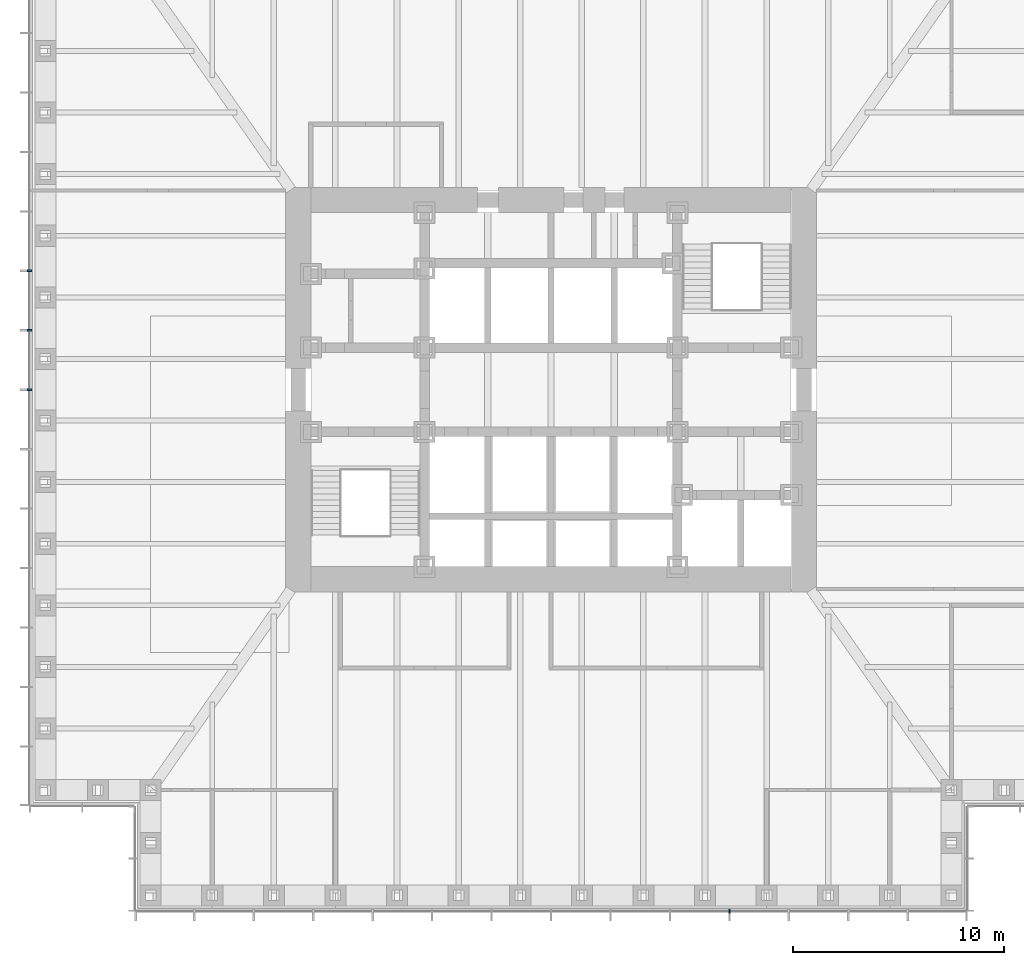
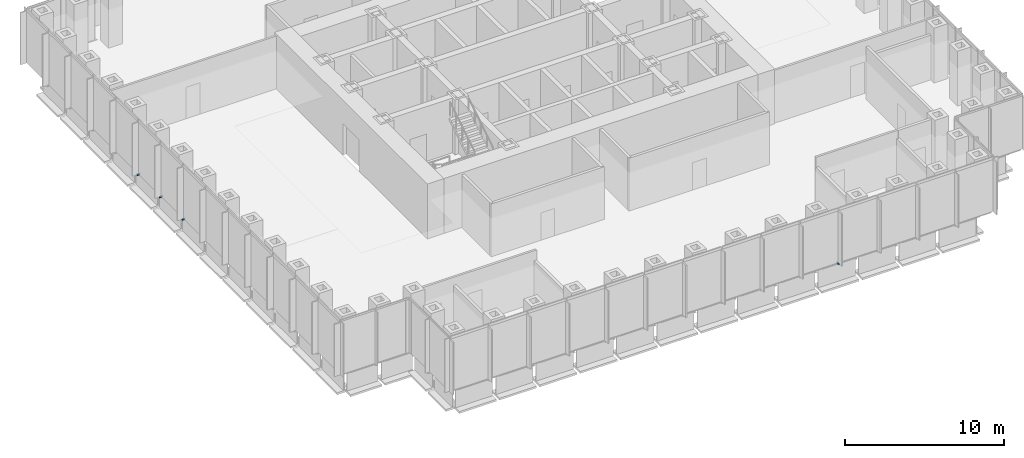
# One storey, part 12 of 16: 4 discrete accessories.
"""IFC4 building model written with IfcOpenShell, lengths in metres."""

from ifc_helpers import new_model, si_unit, direction, frame, origin, origin_2d, place, context, subcontext, project, spatial, rectangle, extrude, element, save


model = new_model("IFC4")

# Units and contexts
model_context = context("Model", 3, precision=1e-05, world=origin(), true_north=direction((0.0, 1.0)))
body_context = subcontext(model_context, "Body", "Model", "MODEL_VIEW")
ifc_project = project(units=[si_unit("LENGTHUNIT", "METRE"), si_unit("AREAUNIT", "SQUARE_METRE"), si_unit("VOLUMEUNIT", "CUBIC_METRE"), si_unit("PLANEANGLEUNIT", "RADIAN"), si_unit("MASSUNIT", "GRAM", prefix="KILO")], contexts=[model_context])

# Site, building, storey
site_placement = place(None, origin())
site = spatial("IfcSite", under=ifc_project, at=site_placement, CompositionType="ELEMENT")
building_placement = place(site_placement, origin())
building = spatial("IfcBuilding", under=site, at=building_placement, Name="Daluyong Arena Tower", CompositionType="ELEMENT")
storey_placement = place(building_placement, frame((0.0, 0.0, 43.300048828125)))
storey = spatial("IfcBuildingStorey", under=building, at=storey_placement, Name="L08", CompositionType="ELEMENT", Elevation=43.300048828125)

# Discrete accessories
for number, where, z_axis, x_axis, name in (
    (1, (64.46435546875, 55.25, -0.10009765625), (0.0, 0.0, 1.0), (1.0, 0.0, 0.0), "curtain wall L08 S anchor bracket 11"),
    (2, (31.25, 85.642822265625, -0.10009765625), (0.0, 0.0, 1.0), (0.0, -1.0, 0.0), "curtain wall L08 W anchor bracket 6"),
    (3, (31.25, 82.821533203125, -0.10009765625), (0.0, 0.0, 1.0), (0.0, -1.0, 0.0), "curtain wall L08 W anchor bracket 7"),
    (4, (31.25, 80.0, -0.10009765625), (0.0, 0.0, 1.0), (0.0, -1.0, 0.0), "curtain wall L08 W anchor bracket 8"),
):
    element("IfcDiscreteAccessory", number, at=place(storey_placement, frame(where, z_axis=z_axis, x_axis=x_axis)), inside=storey, Name=name, PredefinedType="BRACKET", context=body_context, shape_type="SweptSolid", body=[
        extrude(rectangle(XDim=0.080078125, YDim=0.199951171875, at=origin_2d()), origin(), (0.0, 0.0, 1.0), 0.10009765625),
    ])

save(model, "model.ifc")
